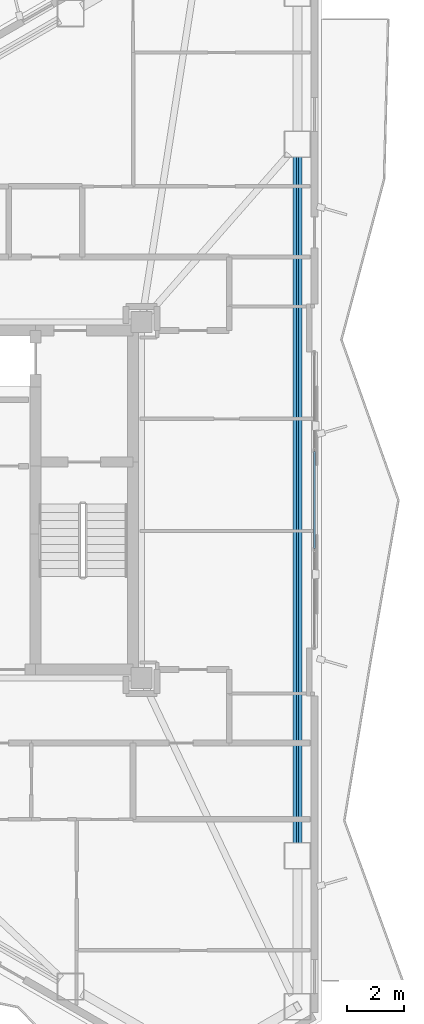
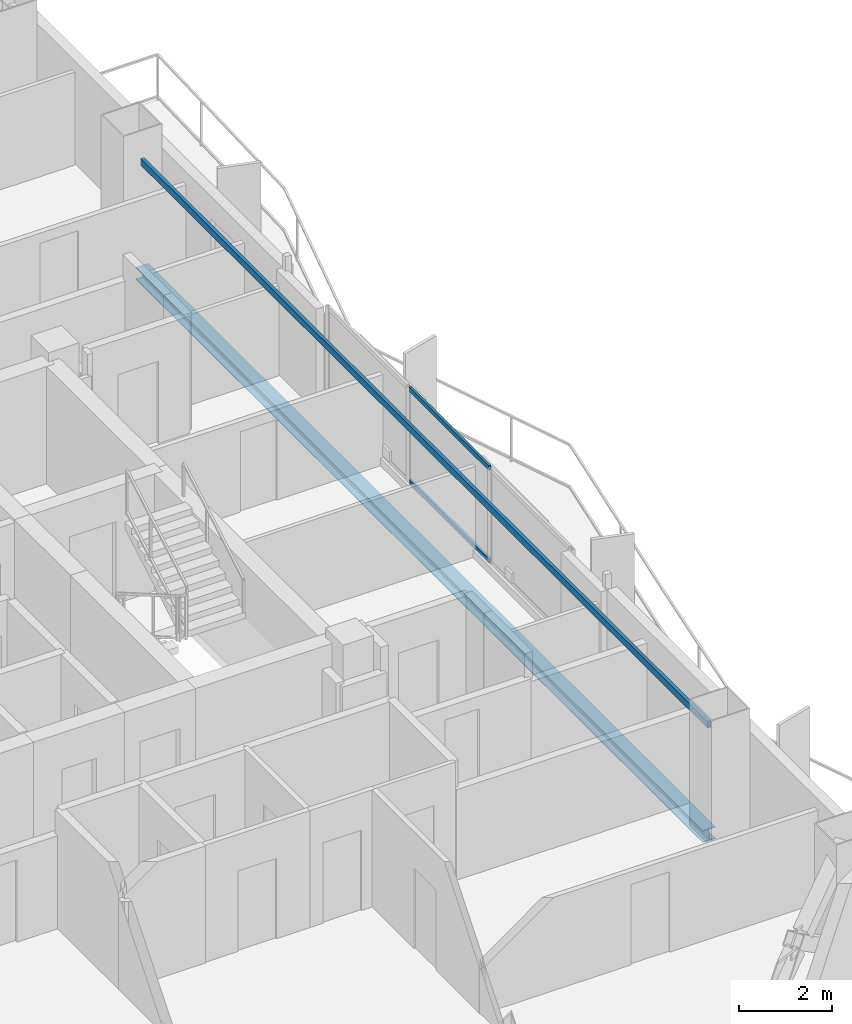
# One storey, part 8 of 18: 2 beams, 2 members, 1 element without a shape of its own.
"""IFC4 building model written with IfcOpenShell, lengths in metres."""

import ifcopenshell
import ifcopenshell.guid

model = None  # the IFC model being written
_history = None  # IfcOwnerHistory: only IFC2X3 demands one
_inside = {}  # id of a spatial element -> (the spatial element, [elements in it])
_under = {}  # id of a project, library or spatial element -> (it, [spatial elements below it])
_declared = {}  # id of a project -> (the project, [libraries it declares])
_typed = {}  # id of a type object -> (the type object, [elements of that type])
_made_of = {}  # id of a material, layer set ... -> (it, [elements and type objects made of it])


def new_model(schema):
    """Start an empty IFC model of exactly this schema.

    Asked for "IFC4X3", IfcOpenShell would pick the latest addendum, in which some entities
    have other attributes; the version numbers below select the first issue.
    IFC2X3 requires an IfcOwnerHistory on every rooted entity: one is made here for all.
    """
    global model, _history
    if schema == "IFC4X3":
        model = ifcopenshell.file(schema_version=(4, 3, 0, 0))
    else:
        model = ifcopenshell.file(schema=schema)
    _inside.clear()
    _under.clear()
    _declared.clear()
    _typed.clear()
    _made_of.clear()
    _history = None
    if model.schema == "IFC2X3":
        org = make("IfcOrganization", Name="unknown")
        user = make(
            "IfcPersonAndOrganization",
            ThePerson=make("IfcPerson", FamilyName="unknown"),
            TheOrganization=org,
        )
        app = make(
            "IfcApplication",
            ApplicationDeveloper=org,
            Version="unknown",
            ApplicationFullName="unknown",
            ApplicationIdentifier="unknown",
        )
        _history = make(
            "IfcOwnerHistory",
            OwningUser=user,
            OwningApplication=app,
            ChangeAction="ADDED",
            CreationDate=0,
        )
    return model


def make(cls, **values):
    """One entity of the class cls with the attributes given. An attribute that is None is left unset."""
    return model.create_entity(
        cls, **{name: value for name, value in values.items() if value is not None}
    )


def rooted(cls, **values):
    """An entity with a GlobalId (a new one), such as an element, a storey or a relation."""
    return make(cls, GlobalId=ifcopenshell.guid.new(), OwnerHistory=_history, **values)


def si_unit(unit_type, name, prefix=None):
    """IfcSIUnit, for example si_unit("LENGTHUNIT", "METRE", prefix="MILLI")."""
    return make("IfcSIUnit", UnitType=unit_type, Prefix=prefix, Name=name)


def assignment(units):
    """IfcUnitAssignment: the units of a project."""
    return None if units is None else make("IfcUnitAssignment", Units=units)


def point(xyz):
    """IfcCartesianPoint."""
    return None if xyz is None else make("IfcCartesianPoint", Coordinates=xyz)


def direction(xyz):
    """IfcDirection."""
    return None if xyz is None else make("IfcDirection", DirectionRatios=xyz)


def frame(location, z_axis=None, x_axis=None):
    """IfcAxis2Placement3D, a coordinate frame: its origin and axes. An axis left out is left unset."""
    return make(
        "IfcAxis2Placement3D",
        Location=point(location),
        Axis=direction(z_axis),
        RefDirection=direction(x_axis),
    )


def frame_2d(location, x_axis=None):
    """IfcAxis2Placement2D, a coordinate frame in the plane: its origin and x axis."""
    return make(
        "IfcAxis2Placement2D", Location=point(location), RefDirection=direction(x_axis)
    )


def origin():
    """The frame at (0, 0, 0) with its axes left unset."""
    return frame((0.0, 0.0, 0.0))


def origin_2d():
    """The frame at (0, 0) in the plane with its x axis left unset."""
    return frame_2d((0.0, 0.0))


def place(relative_to, where):
    """IfcLocalPlacement: puts the frame where relative to a parent placement (None: the world)."""
    return make(
        "IfcLocalPlacement", PlacementRelTo=relative_to, RelativePlacement=where
    )


def context(
    kind, dimensions, precision=None, world=None, true_north=None, identifier=None
):
    """IfcGeometricRepresentationContext, for example the 3D "Model" context."""
    return make(
        "IfcGeometricRepresentationContext",
        ContextIdentifier=identifier,
        ContextType=kind,
        CoordinateSpaceDimension=dimensions,
        Precision=precision,
        WorldCoordinateSystem=world,
        TrueNorth=true_north,
    )


def subcontext(parent, identifier, kind, view, scale=None):
    """IfcGeometricRepresentationSubContext, for example "Body" below "Model"."""
    return make(
        "IfcGeometricRepresentationSubContext",
        ContextIdentifier=identifier,
        ContextType=kind,
        ParentContext=parent,
        TargetScale=scale,
        TargetView=view,
    )


def project(units=None, contexts=None):
    """IfcProject with its units and contexts."""
    return rooted(
        "IfcProject",
        Name="project",
        RepresentationContexts=contexts,
        UnitsInContext=assignment(units),
    )


def spatial(cls, under=None, at=None, **own):
    """A site, building, storey or space (cls), placed at a placement, below another one or the project."""
    s = rooted(cls, ObjectPlacement=at, **own)
    if under is not None:
        _under.setdefault(under.id(), (under, []))[1].append(s)
    return s


def profile(cls, at=None, kind="AREA", **sizes):
    """A parametric profile (cls). Its sizes go by their IFC names, for example OverallWidth=200.0."""
    return make(cls, ProfileType=kind, Position=at, **sizes)


def hollow_rectangle(**sizes):
    """IfcRectangleHollowProfileDef."""
    return profile("IfcRectangleHollowProfileDef", **sizes)


def i_section(**sizes):
    """IfcIShapeProfileDef."""
    return profile("IfcIShapeProfileDef", **sizes)


def extrude(swept, where, along, depth):
    """IfcExtrudedAreaSolid: the profile swept, set in the frame where, extruded along a direction by depth."""
    return make(
        "IfcExtrudedAreaSolid",
        SweptArea=swept,
        Position=where,
        ExtrudedDirection=direction(along),
        Depth=depth,
    )


def shape(context_of_items, identifier, shape_type, items):
    """IfcShapeRepresentation: the items that make up one representation, for example the "Body"."""
    return make(
        "IfcShapeRepresentation",
        ContextOfItems=context_of_items,
        RepresentationIdentifier=identifier,
        RepresentationType=shape_type,
        Items=items,
    )


def material(Name=None, Category=None):
    """IfcMaterial."""
    return make("IfcMaterial", Name=Name, Category=Category)


def layer(
    of_material, thickness, ventilated=None, Name=None, Category=None, Priority=None
):
    """IfcMaterialLayer: one layer of a wall or slab, of a material (None: an air gap)."""
    return make(
        "IfcMaterialLayer",
        Material=of_material,
        LayerThickness=thickness,
        IsVentilated=ventilated,
        Name=Name,
        Category=Category,
        Priority=Priority,
    )


def layer_set(layers, Name=None):
    """IfcMaterialLayerSet."""
    return make("IfcMaterialLayerSet", MaterialLayers=layers, LayerSetName=Name)


def material_profile(
    of_material, cross_section, Name=None, Category=None, Priority=None
):
    """IfcMaterialProfile: a cross section and its material."""
    return make(
        "IfcMaterialProfile",
        Name=Name,
        Material=of_material,
        Profile=cross_section,
        Priority=Priority,
        Category=Category,
    )


def profile_set(profiles, Name=None, composite=None):
    """IfcMaterialProfileSet."""
    return make(
        "IfcMaterialProfileSet",
        Name=Name,
        MaterialProfiles=profiles,
        CompositeProfile=composite,
    )


def made_of(thing, what):
    """Note that an element or type object is made of a material, layer set ...; save() writes the relation."""
    if what is not None:
        _made_of.setdefault(what.id(), (what, []))[1].append(thing)
    return thing


def type_object(cls, material=None, **own):
    """A type object (cls), such as IfcWallType, which elements share."""
    return made_of(rooted(cls, **own), material)


def element(
    cls,
    number,
    at=None,
    inside=None,
    cuts=None,
    type_object=None,
    material=None,
    context=None,
    identifier="Body",
    shape_type=None,
    held_by="IfcProductDefinitionShape",
    body=None,
    shapes=None,
    **own,
):
    """One element of the class cls, such as IfcWall. Its Tag is "e" and its number.

    at: its placement. inside: the storey or other place that contains it. cuts: it is an
    opening in that element (IfcRelVoidsElement). A single representation is given by context,
    identifier, shape_type and body (its items); several are given by shapes. held_by: the class
    of the entity that holds the representations. save() writes the other relations.
    """
    e = rooted(cls, Tag="e%d" % number, ObjectPlacement=at, **own)
    if body is not None:
        shapes = [shape(context, identifier, shape_type, body)]
    if shapes is not None:
        e.Representation = make(held_by, Representations=shapes)
    if inside is not None:
        _inside.setdefault(inside.id(), (inside, []))[1].append(e)
    if cuts is not None:
        rooted(
            "IfcRelVoidsElement", RelatingBuildingElement=cuts, RelatedOpeningElement=e
        )
    if type_object is not None:
        _typed.setdefault(type_object.id(), (type_object, []))[1].append(e)
    return made_of(e, material)


def aggregate(whole, parts):
    """IfcRelAggregates: a whole, such as a stair, and the parts it consists of."""
    return rooted("IfcRelAggregates", RelatingObject=whole, RelatedObjects=parts)


def save(model, path):
    """Write the relations noted so far, then the file.

    IfcRelAggregates (storeys below a building ...), IfcRelContainedInSpatialStructure (elements
    in a storey), IfcRelDefinesByType, IfcRelAssociatesMaterial and IfcRelDeclares: one each for
    every whole, place, type object, material and project.
    """
    for whole, parts in _under.values():
        aggregate(whole, parts)
    for where, things in _inside.values():
        rooted(
            "IfcRelContainedInSpatialStructure",
            RelatedElements=things,
            RelatingStructure=where,
        )
    for kind, things in _typed.values():
        rooted("IfcRelDefinesByType", RelatedObjects=things, RelatingType=kind)
    for what, things in _made_of.values():
        rooted("IfcRelAssociatesMaterial", RelatedObjects=things, RelatingMaterial=what)
    for by, libraries in _declared.values():
        rooted("IfcRelDeclares", RelatingContext=by, RelatedDefinitions=libraries)
    model.write(path)


model = new_model("IFC4")

# Units and contexts
model_context = context("Model", 3, precision=1e-05, world=origin(), true_north=direction((0.0, 1.0)))
body_context = subcontext(model_context, "Body", "Model", "MODEL_VIEW")
ifc_project = project(units=[si_unit("LENGTHUNIT", "METRE"), si_unit("AREAUNIT", "SQUARE_METRE"), si_unit("VOLUMEUNIT", "CUBIC_METRE"), si_unit("PLANEANGLEUNIT", "RADIAN"), si_unit("MASSUNIT", "GRAM", prefix="KILO")], contexts=[model_context])

# Site, building, storey
site_placement = place(None, origin())
site = spatial("IfcSite", under=ifc_project, at=site_placement, CompositionType="ELEMENT")
building_placement = place(site_placement, origin())
building = spatial("IfcBuilding", under=site, at=building_placement, Name="Mersakhor Tower and Convention Hall", CompositionType="ELEMENT")
storey_placement = place(building_placement, frame((0.0, 0.0, 137.699951171875)))
storey = spatial("IfcBuildingStorey", under=building, at=storey_placement, Name="L38", CompositionType="ELEMENT", Elevation=137.699951171875)

# Beams
ifc_material_1 = material(Name="Steel S355", Category="steel")
ifc_material_profile_1 = material_profile(ifc_material_1, hollow_rectangle(XDim=0.080078125, YDim=0.179931640625, WallThickness=0.008056640625, at=origin_2d()), Name="RHS 180x80x8")
ifc_profile_set_1 = profile_set([ifc_material_profile_1], Name="Steel S355")
beam_type_1 = type_object("IfcBeamType", Name="BM-GRT-RHS180", PredefinedType="USERDEFINED", material=ifc_profile_set_1)
beam_1_placement = place(storey_placement, frame((41.619140625, 38.8837890625, 2.47998046875), z_axis=(0.0, -1.0, 0.0), x_axis=(1.0, 0.0, 0.0)))
element("IfcBeam", 1, at=beam_1_placement, inside=storey, type_object=beam_type_1, Name="L38 Facade Support Girt GRT-F2", ObjectType="GIRT", PredefinedType="USERDEFINED", context=body_context, shape_type="SweptSolid", body=[
    extrude(hollow_rectangle(XDim=0.080078125, YDim=0.179931640625, WallThickness=0.008056640625, at=origin_2d()), origin(), (0.0, 0.0, 1.0), 24.267578125),
])
ifc_material_2 = material(Name="Steel S355", Category="steel")
ifc_material_profile_2 = material_profile(ifc_material_2, i_section(OverallWidth=0.30908203125, OverallDepth=0.320556640625, WebThickness=0.013916015625, FlangeThickness=0.021728515625, at=origin_2d()), Name="UC 305x305x137")
ifc_profile_set_2 = profile_set([ifc_material_profile_2], Name="Steel S355")
beam_type_2 = type_object("IfcBeamType", Name="BM-SPD-UC305", PredefinedType="SPANDREL", material=ifc_profile_set_2)
beam_2_placement = place(storey_placement, frame((41.619140625, 38.8837890625, -0.400146484375), z_axis=(0.0, -1.0, 0.0), x_axis=(1.0, 0.0, 0.0)))
element("IfcBeam", 2, at=beam_2_placement, inside=storey, type_object=beam_type_2, Name="L38 Perimeter Spandrel Beam SPB-06", PredefinedType="SPANDREL", context=body_context, shape_type="SweptSolid", body=[
    extrude(i_section(OverallWidth=0.30908203125, OverallDepth=0.320556640625, WebThickness=0.013916015625, FlangeThickness=0.021728515625, at=origin_2d()), origin(), (0.0, 0.0, 1.0), 24.267578125),
])

# Curtain wall, members
ifc_material_3 = material(Name="Dark solar low-E aluminium curtain wall", Category="aluminium")
ifc_layer = layer(ifc_material_3, 0.169921875)
ifc_layer_set = layer_set([ifc_layer], Name="Dark solar low-E aluminium curtain wall")
curtain_wall_type = type_object("IfcCurtainWallType", Name="CW-SYS-02", PredefinedType="USERDEFINED", material=ifc_layer_set)
curtain_wall_placement = place(storey_placement, origin())
curtain_wall = element("IfcCurtainWall", 3, at=curtain_wall_placement, inside=storey, type_object=curtain_wall_type, Name="L38 Dark-Glass Curtain Wall F2-B2", ObjectType="CURTAIN WALL", PredefinedType="USERDEFINED")
ifc_material_4 = material(Name="Anodised aluminium EN AW-6063 T6", Category="aluminium")
ifc_material_profile_3 = material_profile(ifc_material_4, hollow_rectangle(XDim=0.06005859375, YDim=0.1201171875, WallThickness=0.0048828125, at=origin_2d()), Name="RHS 120x60x5")
ifc_profile_set_3 = profile_set([ifc_material_profile_3], Name="Anodised aluminium EN AW-6063 T6")
member_type = type_object("IfcMemberType", Name="CWT-120x60", PredefinedType="USERDEFINED", material=ifc_profile_set_3)
member_1_placement = place(storey_placement, frame((42.21923828125, 28.460205078125, 0.22998046875), z_axis=(0.0, -1.0, 0.0), x_axis=(1.0, 0.0, 0.0)))
member_1 = element("IfcMember", 4, at=member_1_placement, type_object=member_type, Name="CW-02 transom 2.1", ObjectType="TRANSOM", PredefinedType="USERDEFINED", context=body_context, shape_type="SweptSolid", body=[
    extrude(hollow_rectangle(XDim=0.06005859375, YDim=0.1201171875, WallThickness=0.0048828125, at=origin_2d()), origin(), (0.0, 0.0, 1.0), 3.42041015625),
])
member_2_placement = place(storey_placement, frame((42.21923828125, 28.460205078125, 2.650146484375), z_axis=(0.0, -1.0, 0.0), x_axis=(1.0, 0.0, 0.0)))
member_2 = element("IfcMember", 5, at=member_2_placement, type_object=member_type, Name="CW-02 transom 2.2", ObjectType="TRANSOM", PredefinedType="USERDEFINED", context=body_context, shape_type="SweptSolid", body=[
    extrude(hollow_rectangle(XDim=0.06005859375, YDim=0.1201171875, WallThickness=0.0048828125, at=origin_2d()), origin(), (0.0, 0.0, 1.0), 3.42041015625),
])
aggregate(curtain_wall, [member_1, member_2])

save(model, "model.ifc")
